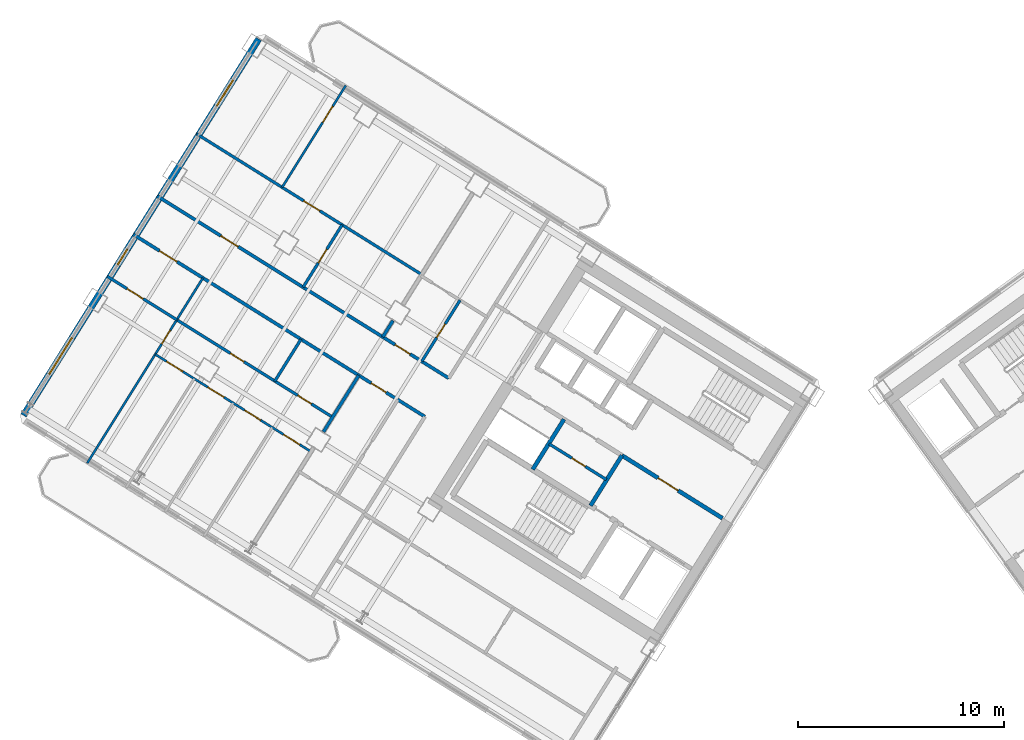
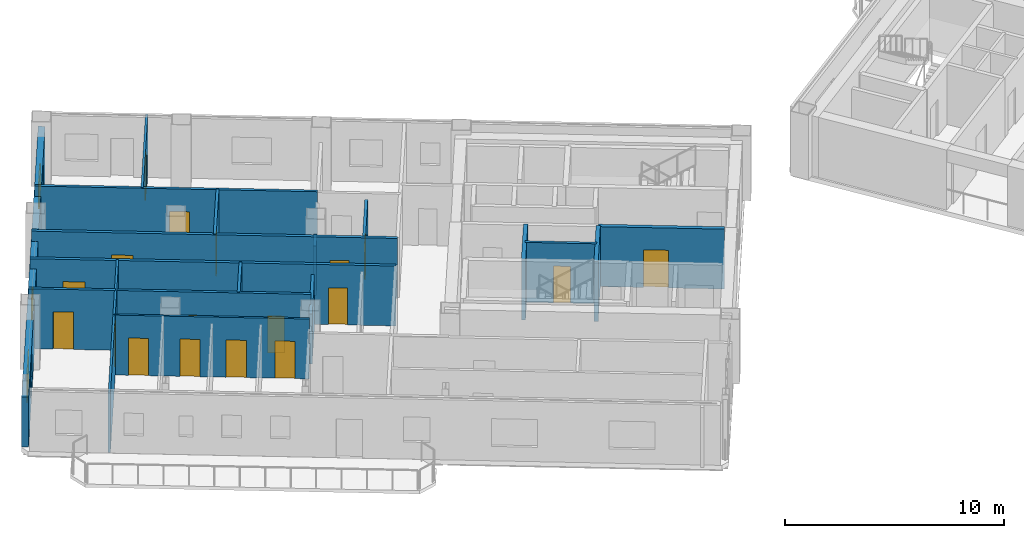
# One storey, part 11 of 19: 18 doors, 18 walls, 3 windows, 21 openings.
"""IFC4 building model written with IfcOpenShell, lengths in metres."""

from ifc_helpers import new_model, si_unit, direction, frame, frame_2d, origin, place, context, subcontext, project, spatial, rectangle, extrude, source, transform, mapped, material, layer, layer_set, type_object, element, fill, save


model = new_model("IFC4")

# Units and contexts
model_context = context("Model", 3, precision=1e-05, world=origin(), true_north=direction((0.0, 1.0)))
body_context = subcontext(model_context, "Body", "Model", "MODEL_VIEW")
ifc_project = project(units=[si_unit("LENGTHUNIT", "METRE"), si_unit("AREAUNIT", "SQUARE_METRE"), si_unit("VOLUMEUNIT", "CUBIC_METRE"), si_unit("PLANEANGLEUNIT", "RADIAN"), si_unit("MASSUNIT", "GRAM", prefix="KILO")], contexts=[model_context])

# Site, building, storey
site_placement = place(None, origin())
site = spatial("IfcSite", under=ifc_project, at=site_placement, CompositionType="ELEMENT")
building_placement = place(site_placement, origin())
building = spatial("IfcBuilding", under=site, at=building_placement, Name="Tlacorven Tower", CompositionType="ELEMENT")
storey_placement = place(building_placement, frame((0.0, 0.0, 144.300048828125)))
storey = spatial("IfcBuildingStorey", under=building, at=storey_placement, Name="L36", CompositionType="ELEMENT", Elevation=144.300048828125)

# Wall, openings, doors
ifc_material_1 = material(Name="Gypsum plasterboard acoustic partition", Category="gypsum")
ifc_layer_1 = layer(ifc_material_1, 0.159912109375)
ifc_layer_set_1 = layer_set([ifc_layer_1], Name="Gypsum plasterboard acoustic partition")
wall_type_1 = type_object("IfcWallType", Name="WL-DEM-160", PredefinedType="PARTITIONING", material=ifc_layer_set_1)
wall_1_placement = place(storey_placement, frame((23.104248046875, 25.25634765625, 0.0), z_axis=(0.0, 0.0, 1.0), x_axis=(-0.848041752158, 0.529929416617, 0.0)))
wall_1 = element("IfcWall", 1, at=wall_1_placement, inside=storey, type_object=wall_type_1, Name="L36 Wing W Corridor South Wall", PredefinedType="PARTITIONING", context=body_context, shape_type="SweptSolid", body=[
    extrude(rectangle(XDim=16.72998046875, YDim=0.159912109375, at=frame_2d((8.364990234375, 0.0))), origin(), (0.0, 0.0, 1.0), 3.33984375),
])
opening_1_placement = place(wall_1_placement, frame((2.219970703125, 0.0, 0.0)))
opening_1 = element("IfcOpeningElement", 2, at=opening_1_placement, cuts=wall_1, Name="Opening D19", PredefinedType="OPENING", context=body_context, shape_type="SweptSolid", body=[
    extrude(rectangle(XDim=0.860107421875, YDim=2.050048828125, at=frame_2d((0.43017578125, 1.02490234375))), frame((0.0, 0.08984375, 0.0), z_axis=(0.0, -1.0, 0.0), x_axis=(1.0, 0.0, 0.0)), (0.0, 0.0, 1.0), 0.179931640625),
])
opening_2_placement = place(wall_1_placement, frame((12.083984375, 0.0, 0.0)))
opening_2 = element("IfcOpeningElement", 3, at=opening_2_placement, cuts=wall_1, Name="Opening D11", PredefinedType="OPENING", context=body_context, shape_type="SweptSolid", body=[
    extrude(rectangle(XDim=1.0, YDim=2.10009765625, at=frame_2d((0.5, 1.050048828125))), frame((0.0, 0.08984375, 0.0), z_axis=(0.0, -1.0, 0.0), x_axis=(1.0, 0.0, 0.0)), (0.0, 0.0, 1.0), 0.179931640625),
])
ifc_material_2 = material(Name="Fire-rated steel door assembly", Category="steel")
door_type_1 = type_object("IfcDoorType", Name="DR-RSR-FD60-0860", OperationType="NOTDEFINED", PredefinedType="DOOR", material=ifc_material_2)
shared_shape_1 = source(origin(), body_context, "Body", "SweptSolid", [
    extrude(rectangle(XDim=0.860107421875, YDim=2.050048828125, at=frame_2d((0.43017578125, 1.02490234375))), frame((0.0, 0.02490234375, 0.0), z_axis=(0.0, -1.0, 0.0), x_axis=(1.0, 0.0, 0.0)), (0.0, 0.0, 1.0), 0.050048828125),
])
door_1_placement = place(opening_1_placement, origin())
door_1 = element("IfcDoor", 4, at=door_1_placement, inside=storey, type_object=door_type_1, Name="L36 door 038", OperationType="SINGLE_SWING_LEFT", OverallHeight=2.050048828125, OverallWidth=0.860107421875, PredefinedType="DOOR", context=body_context, shape_type="MappedRepresentation", body=[
    mapped(shared_shape_1, transform((0.0, 0.0, 0.0), scale=1.0)),
])
fill(opening_1, door_1)
door_type_2 = type_object("IfcDoorType", Name="DR-FLT-FD60-1000", OperationType="NOTDEFINED", PredefinedType="DOOR", material=ifc_material_2)
shared_shape_2 = source(origin(), body_context, "Body", "SweptSolid", [
    extrude(rectangle(XDim=1.0, YDim=2.10009765625, at=frame_2d((0.5, 1.050048828125))), frame((0.0, 0.02490234375, 0.0), z_axis=(0.0, -1.0, 0.0), x_axis=(1.0, 0.0, 0.0)), (0.0, 0.0, 1.0), 0.050048828125),
])
door_2_placement = place(opening_2_placement, origin())
door_2 = element("IfcDoor", 5, at=door_2_placement, inside=storey, type_object=door_type_2, Name="L36 door 042", OperationType="SINGLE_SWING_LEFT", OverallHeight=2.10009765625, OverallWidth=1.0, PredefinedType="DOOR", context=body_context, shape_type="MappedRepresentation", body=[
    mapped(shared_shape_2, transform((0.0, 0.0, 0.0), scale=1.0)),
])
fill(opening_2, door_2)

wall_2_placement = place(storey_placement, frame((21.9384765625, 23.390625, 0.0), z_axis=(0.0, 0.0, 1.0), x_axis=(-0.848045850158, 0.529922858565, 0.0)))
wall_2 = element("IfcWall", 6, at=wall_2_placement, inside=storey, type_object=wall_type_1, Name="L36 Wing W Corridor North Wall", PredefinedType="PARTITIONING", context=body_context, shape_type="SweptSolid", body=[
    extrude(rectangle(XDim=16.730224609375, YDim=0.159912109375, at=frame_2d((8.365234375, 0.0))), origin(), (0.0, 0.0, 1.0), 3.33984375),
])
opening_3_placement = place(wall_2_placement, frame((2.219970703125, 0.0, 0.0)))
opening_3 = element("IfcOpeningElement", 7, at=opening_3_placement, cuts=wall_2, Name="Opening D19", PredefinedType="OPENING", context=body_context, shape_type="SweptSolid", body=[
    extrude(rectangle(XDim=0.860107421875, YDim=2.050048828125, at=frame_2d((0.43017578125, 1.02490234375))), frame((0.0, 0.08984375, 0.0), z_axis=(0.0, -1.0, 0.0), x_axis=(1.0, 0.0, 0.0)), (0.0, 0.0, 1.0), 0.179931640625),
])
opening_4_placement = place(wall_2_placement, frame((14.219970703125, 0.0, 0.0)))
opening_4 = element("IfcOpeningElement", 8, at=opening_4_placement, cuts=wall_2, Name="Opening D11", PredefinedType="OPENING", context=body_context, shape_type="SweptSolid", body=[
    extrude(rectangle(XDim=1.0, YDim=2.10009765625, at=frame_2d((0.5, 1.050048828125))), frame((0.0, 0.08984375, 0.0), z_axis=(0.0, -1.0, 0.0), x_axis=(1.0, 0.0, 0.0)), (0.0, 0.0, 1.0), 0.179931640625),
])
door_3_placement = place(opening_3_placement, origin())
door_3 = element("IfcDoor", 9, at=door_3_placement, inside=storey, type_object=door_type_1, Name="L36 door 025", OperationType="SINGLE_SWING_RIGHT", OverallHeight=2.050048828125, OverallWidth=0.860107421875, PredefinedType="DOOR", context=body_context, shape_type="MappedRepresentation", body=[
    mapped(shared_shape_1, transform((0.0, 0.0, 0.0), scale=1.0)),
])
fill(opening_3, door_3)
door_4_placement = place(opening_4_placement, origin())
door_4 = element("IfcDoor", 10, at=door_4_placement, inside=storey, type_object=door_type_2, Name="L36 door 029", OperationType="SINGLE_SWING_RIGHT", OverallHeight=2.10009765625, OverallWidth=1.0, PredefinedType="DOOR", context=body_context, shape_type="MappedRepresentation", body=[
    mapped(shared_shape_2, transform((0.0, 0.0, 0.0), scale=1.0)),
])
fill(opening_4, door_4)

# Walls
wall_3_placement = place(storey_placement, frame((18.724365234375, 25.399169921875, 0.0), z_axis=(0.0, 0.0, 1.0), x_axis=(-0.529890499457, -0.848066069705, 0.0)))
element("IfcWall", 11, at=wall_3_placement, inside=storey, type_object=wall_type_1, Name="L36 WN Demising Wall 1", PredefinedType="PARTITIONING", context=body_context, shape_type="SweptSolid", body=[
    extrude(rectangle(XDim=3.238037109375, YDim=0.159912109375, at=frame_2d((1.619140625, 0.0))), origin(), (0.0, 0.0, 1.0), 2.77490234375),
])
wall_4_placement = place(storey_placement, frame((20.38720703125, 28.060302734375, 0.0), z_axis=(0.0, 0.0, 1.0), x_axis=(-0.529952145338, -0.848027548876, 0.0)))
element("IfcWall", 12, at=wall_4_placement, inside=storey, type_object=wall_type_1, Name="L36 WS Demising Wall 1", PredefinedType="PARTITIONING", context=body_context, shape_type="SweptSolid", body=[
    extrude(rectangle(XDim=0.93798828125, YDim=0.159912109375, at=frame_2d((0.468994140625, 0.0))), origin(), (0.0, 0.0, 1.0), 2.77490234375),
])

# Wall, openings, windows
ifc_material_3 = material(Name="Precast concrete C45/55", Category="concrete")
ifc_layer_2 = layer(ifc_material_3, 0.320068359375)
ifc_layer_set_2 = layer_set([ifc_layer_2], Name="Precast concrete C45/55")
wall_type_2 = type_object("IfcWallType", Name="WL-EXT-320", PredefinedType="STANDARD", material=ifc_layer_set_2)
wall_5_placement = place(storey_placement, frame((2.41455078125, 23.452392578125, 0.0), z_axis=(0.0, 0.0, 1.0), x_axis=(0.52991049553, 0.848053575387, 0.0)))
wall_5 = element("IfcWall", 13, at=wall_5_placement, inside=storey, type_object=wall_type_2, Name="L36 Masonry-Frame Recessed Facade Wall 2", PredefinedType="STANDARD", context=body_context, shape_type="SweptSolid", body=[
    extrude(rectangle(XDim=21.58740234375, YDim=0.320068359375, at=frame_2d((10.793701171875, 0.0))), origin(), (0.0, 0.0, 1.0), 2.77490234375),
])
opening_5_placement = place(wall_5_placement, frame((2.356201171875, 0.0, 0.800048828125)))
opening_5 = element("IfcOpeningElement", 14, at=opening_5_placement, cuts=wall_5, Name="Opening WN04", PredefinedType="OPENING", context=body_context, shape_type="SweptSolid", body=[
    extrude(rectangle(XDim=2.10009765625, YDim=1.550048828125, at=frame_2d((1.050048828125, 0.77490234375))), frame((0.0, 0.169921875, 0.0), z_axis=(0.0, -1.0, 0.0), x_axis=(1.0, 0.0, 0.0)), (0.0, 0.0, 1.0), 0.340087890625),
])
opening_6_placement = place(wall_5_placement, frame((8.638671875, 0.0, 1.0)))
opening_6 = element("IfcOpeningElement", 15, at=opening_6_placement, cuts=wall_5, Name="Opening WN05", PredefinedType="OPENING", context=body_context, shape_type="SweptSolid", body=[
    extrude(rectangle(XDim=0.89990234375, YDim=1.25, at=frame_2d((0.449951171875, 0.625))), frame((0.0, 0.169921875, 0.0), z_axis=(0.0, -1.0, 0.0), x_axis=(1.0, 0.0, 0.0)), (0.0, 0.0, 1.0), 0.340087890625),
])
opening_7_placement = place(wall_5_placement, frame((17.74365234375, 0.0, 0.85009765625)))
opening_7 = element("IfcOpeningElement", 16, at=opening_7_placement, cuts=wall_5, Name="Opening WN02", PredefinedType="OPENING", context=body_context, shape_type="SweptSolid", body=[
    extrude(rectangle(XDim=1.5, YDim=1.5, at=frame_2d((0.75, 0.75))), frame((0.0, 0.169921875, 0.0), z_axis=(0.0, -1.0, 0.0), x_axis=(1.0, 0.0, 0.0)), (0.0, 0.0, 1.0), 0.340087890625),
])
ifc_material_4 = material(Name="Dark solar low-E double glazing in anodised aluminium frame", Category="aluminium")
window_type_1 = type_object("IfcWindowType", Name="WN-APT-2100X1750", PartitioningType="SINGLE_PANEL", PredefinedType="WINDOW", material=ifc_material_4)
shared_shape_3 = source(origin(), body_context, "Body", "SweptSolid", [
    extrude(rectangle(XDim=2.10009765625, YDim=1.550048828125, at=frame_2d((1.050048828125, 0.77490234375))), frame((0.0, 0.030029296875, 0.0), z_axis=(0.0, -1.0, 0.0), x_axis=(1.0, 0.0, 0.0)), (0.0, 0.0, 1.0), 0.06005859375),
])
window_1_placement = place(opening_5_placement, origin())
window_1 = element("IfcWindow", 17, at=window_1_placement, inside=storey, type_object=window_type_1, Name="L36 Recessed Masonry-Frame Window L36-02.1", OverallHeight=1.550048828125, OverallWidth=2.10009765625, PartitioningType="SINGLE_PANEL", PredefinedType="WINDOW", context=body_context, shape_type="MappedRepresentation", body=[
    mapped(shared_shape_3, transform((0.0, 0.0, 0.0), scale=1.0)),
])
fill(opening_5, window_1)
window_type_2 = type_object("IfcWindowType", Name="WN-APT-1500X1650", PartitioningType="SINGLE_PANEL", PredefinedType="WINDOW", material=ifc_material_4)
shared_shape_4 = source(origin(), body_context, "Body", "SweptSolid", [
    extrude(rectangle(XDim=1.5, YDim=1.5, at=frame_2d((0.75, 0.75))), frame((0.0, 0.030029296875, 0.0), z_axis=(0.0, -1.0, 0.0), x_axis=(1.0, 0.0, 0.0)), (0.0, 0.0, 1.0), 0.06005859375),
])
window_2_placement = place(opening_7_placement, origin())
window_2 = element("IfcWindow", 18, at=window_2_placement, inside=storey, type_object=window_type_2, Name="L36 Recessed Masonry-Frame Window L36-02.3", OverallHeight=1.5, OverallWidth=1.5, PartitioningType="SINGLE_PANEL", PredefinedType="WINDOW", context=body_context, shape_type="MappedRepresentation", body=[
    mapped(shared_shape_4, transform((0.0, 0.0, 0.0), scale=1.0)),
])
fill(opening_7, window_2)
window_type_3 = type_object("IfcWindowType", Name="WN-APT-0900X1350", PartitioningType="SINGLE_PANEL", PredefinedType="WINDOW", material=ifc_material_4)
shared_shape_5 = source(origin(), body_context, "Body", "SweptSolid", [
    extrude(rectangle(XDim=0.89990234375, YDim=1.25, at=frame_2d((0.449951171875, 0.625))), frame((0.0, 0.030029296875, 0.0), z_axis=(0.0, -1.0, 0.0), x_axis=(1.0, 0.0, 0.0)), (0.0, 0.0, 1.0), 0.06005859375),
])
window_3_placement = place(opening_6_placement, origin())
window_3 = element("IfcWindow", 19, at=window_3_placement, inside=storey, type_object=window_type_3, Name="L36 Recessed Masonry-Frame Window L36-02.2", OverallHeight=1.25, OverallWidth=0.89990234375, PartitioningType="SINGLE_PANEL", PredefinedType="WINDOW", context=body_context, shape_type="MappedRepresentation", body=[
    mapped(shared_shape_5, transform((0.0, 0.0, 0.0), scale=1.0)),
])
fill(opening_6, window_3)

# Wall, opening, door
ifc_material_5 = material(Name="Gypsum plasterboard partition", Category="gypsum")
ifc_layer_3 = layer(ifc_material_5, 0.110107421875)
ifc_layer_set_3 = layer_set([ifc_layer_3], Name="Gypsum plasterboard partition")
wall_type_3 = type_object("IfcWallType", Name="WL-INT-110", PredefinedType="PARTITIONING", material=ifc_layer_set_3)
wall_6_placement = place(storey_placement, frame((11.142822265625, 30.136474609375, 0.0), z_axis=(0.0, 0.0, 1.0), x_axis=(-0.529922479612, -0.848046086956, 0.0)))
wall_6 = element("IfcWall", 20, at=wall_6_placement, inside=storey, type_object=wall_type_3, Name="L36 partition 56", PredefinedType="PARTITIONING", context=body_context, shape_type="SweptSolid", body=[
    extrude(rectangle(XDim=10.619873046875, YDim=0.110107421875, at=frame_2d((5.31005859375, 0.0))), origin(), (0.0, 0.0, 1.0), 3.33984375),
])
opening_8_placement = place(wall_6_placement, frame((3.0, 0.0, 0.0)))
opening_8 = element("IfcOpeningElement", 21, at=opening_8_placement, cuts=wall_6, Name="Opening D22", PredefinedType="OPENING", context=body_context, shape_type="SweptSolid", body=[
    extrude(rectangle(XDim=0.780029296875, YDim=2.050048828125, at=frame_2d((0.39013671875, 1.02490234375))), frame((0.0, 0.06494140625, 0.0), z_axis=(0.0, -1.0, 0.0), x_axis=(1.0, 0.0, 0.0)), (0.0, 0.0, 1.0), 0.130126953125),
])
ifc_material_6 = material(Name="Powder-coated aluminium and timber door", Category="wood")
door_type_3 = type_object("IfcDoorType", Name="DR-INT-WET-0780", OperationType="NOTDEFINED", PredefinedType="DOOR", material=ifc_material_6)
shared_shape_6 = source(origin(), body_context, "Body", "SweptSolid", [
    extrude(rectangle(XDim=0.780029296875, YDim=2.050048828125, at=frame_2d((0.39013671875, 1.02490234375))), frame((0.0, 0.02490234375, 0.0), z_axis=(0.0, -1.0, 0.0), x_axis=(1.0, 0.0, 0.0)), (0.0, 0.0, 1.0), 0.050048828125),
])
door_5_placement = place(opening_8_placement, origin())
door_5 = element("IfcDoor", 22, at=door_5_placement, inside=storey, type_object=door_type_3, Name="L36 door 031", OperationType="SINGLE_SWING_RIGHT", OverallHeight=2.050048828125, OverallWidth=0.780029296875, PredefinedType="DOOR", context=body_context, shape_type="MappedRepresentation", body=[
    mapped(shared_shape_6, transform((0.0, 0.0, 0.0), scale=1.0)),
])
fill(opening_8, door_5)

# Wall, openings, doors
wall_7_placement = place(storey_placement, frame((16.4033203125, 21.6845703125, 0.0), z_axis=(0.0, 0.0, 1.0), x_axis=(-0.848044326704, 0.52992529657, 0.0)))
wall_7 = element("IfcWall", 23, at=wall_7_placement, inside=storey, type_object=wall_type_3, Name="L36 partition 61", PredefinedType="PARTITIONING", context=body_context, shape_type="SweptSolid", body=[
    extrude(rectangle(XDim=8.93994140625, YDim=0.110107421875, at=frame_2d((4.469970703125, 0.0))), origin(), (0.0, 0.0, 1.0), 3.33984375),
])
opening_9_placement = place(wall_7_placement, frame((0.657470703125, 0.0, 0.0)))
opening_9 = element("IfcOpeningElement", 24, at=opening_9_placement, cuts=wall_7, Name="Opening D12", PredefinedType="OPENING", context=body_context, shape_type="SweptSolid", body=[
    extrude(rectangle(XDim=0.919921875, YDim=2.080078125, at=frame_2d((0.4599609375, 1.0400390625))), frame((0.0, 0.06494140625, 0.0), z_axis=(0.0, -1.0, 0.0), x_axis=(1.0, 0.0, 0.0)), (0.0, 0.0, 1.0), 0.130126953125),
])
opening_10_placement = place(wall_7_placement, frame((2.892578125, 0.0, 0.0)))
opening_10 = element("IfcOpeningElement", 25, at=opening_10_placement, cuts=wall_7, Name="Opening D12", PredefinedType="OPENING", context=body_context, shape_type="SweptSolid", body=[
    extrude(rectangle(XDim=0.919921875, YDim=2.080078125, at=frame_2d((0.4599609375, 1.0400390625))), frame((0.0, 0.06494140625, 0.0), z_axis=(0.0, -1.0, 0.0), x_axis=(1.0, 0.0, 0.0)), (0.0, 0.0, 1.0), 0.130126953125),
])
opening_11_placement = place(wall_7_placement, frame((5.007568359375, 0.0, 0.0)))
opening_11 = element("IfcOpeningElement", 26, at=opening_11_placement, cuts=wall_7, Name="Opening D12", PredefinedType="OPENING", context=body_context, shape_type="SweptSolid", body=[
    extrude(rectangle(XDim=0.919921875, YDim=2.080078125, at=frame_2d((0.4599609375, 1.0400390625))), frame((0.0, 0.06494140625, 0.0), z_axis=(0.0, -1.0, 0.0), x_axis=(1.0, 0.0, 0.0)), (0.0, 0.0, 1.0), 0.130126953125),
])
opening_12_placement = place(wall_7_placement, frame((7.362548828125, 0.0, 0.0)))
opening_12 = element("IfcOpeningElement", 27, at=opening_12_placement, cuts=wall_7, Name="Opening D12", PredefinedType="OPENING", context=body_context, shape_type="SweptSolid", body=[
    extrude(rectangle(XDim=0.919921875, YDim=2.080078125, at=frame_2d((0.4599609375, 1.0400390625))), frame((0.0, 0.06494140625, 0.0), z_axis=(0.0, -1.0, 0.0), x_axis=(1.0, 0.0, 0.0)), (0.0, 0.0, 1.0), 0.130126953125),
])
door_type_4 = type_object("IfcDoorType", Name="DR-INT-ROOM-0920", OperationType="NOTDEFINED", PredefinedType="DOOR", material=ifc_material_6)
shared_shape_7 = source(origin(), body_context, "Body", "SweptSolid", [
    extrude(rectangle(XDim=0.919921875, YDim=2.080078125, at=frame_2d((0.4599609375, 1.0400390625))), frame((0.0, 0.02490234375, 0.0), z_axis=(0.0, -1.0, 0.0), x_axis=(1.0, 0.0, 0.0)), (0.0, 0.0, 1.0), 0.050048828125),
])
door_6_placement = place(opening_9_placement, origin())
door_6 = element("IfcDoor", 28, at=door_6_placement, inside=storey, type_object=door_type_4, Name="L36 door 034", OperationType="SINGLE_SWING_LEFT", OverallHeight=2.080078125, OverallWidth=0.919921875, PredefinedType="DOOR", context=body_context, shape_type="MappedRepresentation", body=[
    mapped(shared_shape_7, transform((0.0, 0.0, 0.0), scale=1.0)),
])
fill(opening_9, door_6)
door_7_placement = place(opening_10_placement, origin())
door_7 = element("IfcDoor", 29, at=door_7_placement, inside=storey, type_object=door_type_4, Name="L36 door 035", OperationType="SINGLE_SWING_RIGHT", OverallHeight=2.080078125, OverallWidth=0.919921875, PredefinedType="DOOR", context=body_context, shape_type="MappedRepresentation", body=[
    mapped(shared_shape_7, transform((0.0, 0.0, 0.0), scale=1.0)),
])
fill(opening_10, door_7)
door_8_placement = place(opening_11_placement, origin())
door_8 = element("IfcDoor", 30, at=door_8_placement, inside=storey, type_object=door_type_4, Name="L36 door 036", OperationType="SINGLE_SWING_LEFT", OverallHeight=2.080078125, OverallWidth=0.919921875, PredefinedType="DOOR", context=body_context, shape_type="MappedRepresentation", body=[
    mapped(shared_shape_7, transform((0.0, 0.0, 0.0), scale=1.0)),
])
fill(opening_11, door_8)
door_9_placement = place(opening_12_placement, origin())
door_9 = element("IfcDoor", 31, at=door_9_placement, inside=storey, type_object=door_type_4, Name="L36 door 037", OperationType="SINGLE_SWING_RIGHT", OverallHeight=2.080078125, OverallWidth=0.919921875, PredefinedType="DOOR", context=body_context, shape_type="MappedRepresentation", body=[
    mapped(shared_shape_7, transform((0.0, 0.0, 0.0), scale=1.0)),
])
fill(opening_12, door_9)

# Wall, opening, door
wall_8_placement = place(storey_placement, frame((18.089111328125, 39.498046875, 0.0), z_axis=(0.0, 0.0, 1.0), x_axis=(-0.529916267533, -0.848049968695, 0.0)))
wall_8 = element("IfcWall", 32, at=wall_8_placement, inside=storey, type_object=wall_type_3, Name="L36 partition 70", PredefinedType="PARTITIONING", context=body_context, shape_type="SweptSolid", body=[
    extrude(rectangle(XDim=5.840087890625, YDim=0.110107421875, at=frame_2d((2.919921875, 0.0))), origin(), (0.0, 0.0, 1.0), 3.33984375),
])
opening_13_placement = place(wall_8_placement, frame((1.18994140625, 0.0, 0.0)))
opening_13 = element("IfcOpeningElement", 33, at=opening_13_placement, cuts=wall_8, Name="Opening D12", PredefinedType="OPENING", context=body_context, shape_type="SweptSolid", body=[
    extrude(rectangle(XDim=0.919921875, YDim=2.080078125, at=frame_2d((0.4599609375, 1.0400390625))), frame((0.0, 0.06494140625, 0.0), z_axis=(0.0, -1.0, 0.0), x_axis=(1.0, 0.0, 0.0)), (0.0, 0.0, 1.0), 0.130126953125),
])
door_10_placement = place(opening_13_placement, origin())
door_10 = element("IfcDoor", 34, at=door_10_placement, inside=storey, type_object=door_type_4, Name="L36 door 041", OperationType="SINGLE_SWING_RIGHT", OverallHeight=2.080078125, OverallWidth=0.919921875, PredefinedType="DOOR", context=body_context, shape_type="MappedRepresentation", body=[
    mapped(shared_shape_7, transform((0.0, 0.0, 0.0), scale=1.0)),
])
fill(opening_13, door_10)

ifc_material_7 = material(Name="Moisture-resistant gypsum plumbing wall", Category="gypsum")
ifc_layer_4 = layer(ifc_material_7, 0.139892578125)
ifc_layer_set_4 = layer_set([ifc_layer_4], Name="Moisture-resistant gypsum plumbing wall")
wall_type_4 = type_object("IfcWallType", Name="WL-PLM-140", PredefinedType="PLUMBINGWALL", material=ifc_layer_set_4)
wall_9_placement = place(storey_placement, frame((30.766357421875, 20.3271484375, 0.0), z_axis=(0.0, 0.0, 1.0), x_axis=(-0.848052663127, 0.529911955482, 0.0)))
wall_9 = element("IfcWall", 35, at=wall_9_placement, inside=storey, type_object=wall_type_4, Name="L36 partition 23", PredefinedType="PLUMBINGWALL", context=body_context, shape_type="SweptSolid", body=[
    extrude(rectangle(XDim=3.27978515625, YDim=0.139892578125, at=frame_2d((1.639892578125, 0.0))), origin(), (0.0, 0.0, 1.0), 3.33984375),
])
opening_14_placement = place(wall_9_placement, frame((1.199951171875, 0.0, 0.0)))
opening_14 = element("IfcOpeningElement", 36, at=opening_14_placement, cuts=wall_9, Name="Opening D22", PredefinedType="OPENING", context=body_context, shape_type="SweptSolid", body=[
    extrude(rectangle(XDim=0.780029296875, YDim=2.050048828125, at=frame_2d((0.39013671875, 1.02490234375))), frame((0.0, 0.080078125, 0.0), z_axis=(0.0, -1.0, 0.0), x_axis=(1.0, 0.0, 0.0)), (0.0, 0.0, 1.0), 0.159912109375),
])
door_11_placement = place(opening_14_placement, origin())
door_11 = element("IfcDoor", 37, at=door_11_placement, inside=storey, type_object=door_type_3, Name="L36 door 011", OperationType="SINGLE_SWING_LEFT", OverallHeight=2.050048828125, OverallWidth=0.780029296875, PredefinedType="DOOR", context=body_context, shape_type="MappedRepresentation", body=[
    mapped(shared_shape_6, transform((0.0, 0.0, 0.0), scale=1.0)),
])
fill(opening_14, door_11)

wall_10_placement = place(storey_placement, frame((9.870849609375, 28.101318359375, 0.0), z_axis=(0.0, 0.0, 1.0), x_axis=(-0.848025873403, 0.529954826413, 0.0)))
wall_10 = element("IfcWall", 38, at=wall_10_placement, inside=storey, type_object=wall_type_4, Name="L36 partition 58", PredefinedType="PLUMBINGWALL", context=body_context, shape_type="SweptSolid", body=[
    extrude(rectangle(XDim=3.979736328125, YDim=0.139892578125, at=frame_2d((1.98974609375, 0.0))), origin(), (0.0, 0.0, 1.0), 3.33984375),
])
opening_15_placement = place(wall_10_placement, frame((1.929931640625, 0.0, 0.0)))
opening_15 = element("IfcOpeningElement", 39, at=opening_15_placement, cuts=wall_10, Name="Opening D12", PredefinedType="OPENING", context=body_context, shape_type="SweptSolid", body=[
    extrude(rectangle(XDim=0.919921875, YDim=2.080078125, at=frame_2d((0.4599609375, 1.0400390625))), frame((0.0, 0.080078125, 0.0), z_axis=(0.0, -1.0, 0.0), x_axis=(1.0, 0.0, 0.0)), (0.0, 0.0, 1.0), 0.159912109375),
])
door_12_placement = place(opening_15_placement, origin())
door_12 = element("IfcDoor", 40, at=door_12_placement, inside=storey, type_object=door_type_4, Name="L36 door 030", OperationType="SINGLE_SWING_LEFT", OverallHeight=2.080078125, OverallWidth=0.919921875, PredefinedType="DOOR", context=body_context, shape_type="MappedRepresentation", body=[
    mapped(shared_shape_7, transform((0.0, 0.0, 0.0), scale=1.0)),
])
fill(opening_15, door_12)

# Wall, openings, doors
wall_11_placement = place(storey_placement, frame((17.452392578125, 23.36376953125, 0.0), z_axis=(0.0, 0.0, 1.0), x_axis=(-0.848044326704, 0.52992529657, 0.0)))
wall_11 = element("IfcWall", 41, at=wall_11_placement, inside=storey, type_object=wall_type_4, Name="L36 partition 59", PredefinedType="PLUMBINGWALL", context=body_context, shape_type="SweptSolid", body=[
    extrude(rectangle(XDim=8.93994140625, YDim=0.139892578125, at=frame_2d((4.469970703125, 0.0))), origin(), (0.0, 0.0, 1.0), 3.33984375),
])
opening_16_placement = place(wall_11_placement, frame((5.08740234375, 0.0, 0.0)))
opening_16 = element("IfcOpeningElement", 42, at=opening_16_placement, cuts=wall_11, Name="Opening D22", PredefinedType="OPENING", context=body_context, shape_type="SweptSolid", body=[
    extrude(rectangle(XDim=0.780029296875, YDim=2.050048828125, at=frame_2d((0.39013671875, 1.02490234375))), frame((0.0, 0.080078125, 0.0), z_axis=(0.0, -1.0, 0.0), x_axis=(1.0, 0.0, 0.0)), (0.0, 0.0, 1.0), 0.159912109375),
])
opening_17_placement = place(wall_11_placement, frame((1.217529296875, 0.0, 0.0)))
opening_17 = element("IfcOpeningElement", 43, at=opening_17_placement, cuts=wall_11, Name="Opening D22", PredefinedType="OPENING", context=body_context, shape_type="SweptSolid", body=[
    extrude(rectangle(XDim=0.780029296875, YDim=2.050048828125, at=frame_2d((0.39013671875, 1.02490234375))), frame((0.0, 0.080078125, 0.0), z_axis=(0.0, -1.0, 0.0), x_axis=(1.0, 0.0, 0.0)), (0.0, 0.0, 1.0), 0.159912109375),
])
door_13_placement = place(opening_16_placement, origin())
door_13 = element("IfcDoor", 44, at=door_13_placement, inside=storey, type_object=door_type_3, Name="L36 door 032", OperationType="SINGLE_SWING_LEFT", OverallHeight=2.050048828125, OverallWidth=0.780029296875, PredefinedType="DOOR", context=body_context, shape_type="MappedRepresentation", body=[
    mapped(shared_shape_6, transform((0.0, 0.0, 0.0), scale=1.0)),
])
fill(opening_16, door_13)
door_14_placement = place(opening_17_placement, origin())
door_14 = element("IfcDoor", 45, at=door_14_placement, inside=storey, type_object=door_type_3, Name="L36 door 033", OperationType="SINGLE_SWING_RIGHT", OverallHeight=2.050048828125, OverallWidth=0.780029296875, PredefinedType="DOOR", context=body_context, shape_type="MappedRepresentation", body=[
    mapped(shared_shape_6, transform((0.0, 0.0, 0.0), scale=1.0)),
])
fill(opening_17, door_14)

# Wall
wall_12_placement = place(storey_placement, frame((15.9130859375, 27.15576171875, 0.0), z_axis=(0.0, 0.0, 1.0), x_axis=(-0.529935194983, -0.848038141311, 0.0)))
element("IfcWall", 46, at=wall_12_placement, inside=storey, type_object=wall_type_4, Name="L36 partition 60", PredefinedType="PLUMBINGWALL", context=body_context, shape_type="SweptSolid", body=[
    extrude(rectangle(XDim=2.409912109375, YDim=0.139892578125, at=frame_2d((1.205078125, 0.0))), origin(), (0.0, 0.0, 1.0), 3.33984375),
])

# Wall, opening, door
wall_13_placement = place(storey_placement, frame((23.649658203125, 29.054443359375, 0.0), z_axis=(0.0, 0.0, 1.0), x_axis=(-0.529898896701, -0.848060822863, 0.0)))
wall_13 = element("IfcWall", 47, at=wall_13_placement, inside=storey, type_object=wall_type_4, Name="L36 partition 67", PredefinedType="PLUMBINGWALL", context=body_context, shape_type="SweptSolid", body=[
    extrude(rectangle(XDim=3.509765625, YDim=0.139892578125, at=frame_2d((1.7548828125, 0.0))), origin(), (0.0, 0.0, 1.0), 2.994873046875),
])
opening_18_placement = place(wall_13_placement, frame((1.364990234375, 0.0, 0.0)))
opening_18 = element("IfcOpeningElement", 48, at=opening_18_placement, cuts=wall_13, Name="Opening D22", PredefinedType="OPENING", context=body_context, shape_type="SweptSolid", body=[
    extrude(rectangle(XDim=0.780029296875, YDim=2.050048828125, at=frame_2d((0.39013671875, 1.02490234375))), frame((0.0, 0.080078125, 0.0), z_axis=(0.0, -1.0, 0.0), x_axis=(1.0, 0.0, 0.0)), (0.0, 0.0, 1.0), 0.159912109375),
])
door_15_placement = place(opening_18_placement, origin())
door_15 = element("IfcDoor", 49, at=door_15_placement, inside=storey, type_object=door_type_3, Name="L36 door 040", OperationType="SINGLE_SWING_LEFT", OverallHeight=2.050048828125, OverallWidth=0.780029296875, PredefinedType="DOOR", context=body_context, shape_type="MappedRepresentation", body=[
    mapped(shared_shape_6, transform((0.0, 0.0, 0.0), scale=1.0)),
])
fill(opening_18, door_15)

wall_14_placement = place(storey_placement, frame((21.787353515625, 30.30078125, 0.0), z_axis=(0.0, 0.0, 1.0), x_axis=(-0.848043949058, 0.52992590092, 0.0)))
wall_14 = element("IfcWall", 50, at=wall_14_placement, inside=storey, type_object=wall_type_4, Name="L36 partition 68", PredefinedType="PLUMBINGWALL", context=body_context, shape_type="SweptSolid", body=[
    extrude(rectangle(XDim=12.920166015625, YDim=0.139892578125, at=frame_2d((6.4599609375, 0.0))), origin(), (0.0, 0.0, 1.0), 3.33984375),
])
opening_19_placement = place(wall_14_placement, frame((5.84912109375, 0.0, 0.0)))
opening_19 = element("IfcOpeningElement", 51, at=opening_19_placement, cuts=wall_14, Name="Opening D12", PredefinedType="OPENING", context=body_context, shape_type="SweptSolid", body=[
    extrude(rectangle(XDim=0.919921875, YDim=2.080078125, at=frame_2d((0.4599609375, 1.0400390625))), frame((0.0, 0.080078125, 0.0), z_axis=(0.0, -1.0, 0.0), x_axis=(1.0, 0.0, 0.0)), (0.0, 0.0, 1.0), 0.159912109375),
])
door_16_placement = place(opening_19_placement, origin())
door_16 = element("IfcDoor", 52, at=door_16_placement, inside=storey, type_object=door_type_4, Name="L36 door 043", OperationType="SINGLE_SWING_RIGHT", OverallHeight=2.080078125, OverallWidth=0.919921875, PredefinedType="DOOR", context=body_context, shape_type="MappedRepresentation", body=[
    mapped(shared_shape_7, transform((0.0, 0.0, 0.0), scale=1.0)),
])
fill(opening_19, door_16)

wall_15_placement = place(storey_placement, frame((17.913330078125, 32.721435546875, 0.0), z_axis=(0.0, 0.0, 1.0), x_axis=(-0.529906983049, -0.848055770169, 0.0)))
wall_15 = element("IfcWall", 53, at=wall_15_placement, inside=storey, type_object=wall_type_4, Name="L36 partition 69", PredefinedType="PLUMBINGWALL", context=body_context, shape_type="SweptSolid", body=[
    extrude(rectangle(XDim=3.579833984375, YDim=0.139892578125, at=frame_2d((1.7900390625, 0.0))), origin(), (0.0, 0.0, 1.0), 3.33984375),
])
opening_20_placement = place(wall_15_placement, frame((1.39990234375, 0.0, 0.0)))
opening_20 = element("IfcOpeningElement", 54, at=opening_20_placement, cuts=wall_15, Name="Opening D22", PredefinedType="OPENING", context=body_context, shape_type="SweptSolid", body=[
    extrude(rectangle(XDim=0.780029296875, YDim=2.050048828125, at=frame_2d((0.39013671875, 1.02490234375))), frame((0.0, 0.080078125, 0.0), z_axis=(0.0, -1.0, 0.0), x_axis=(1.0, 0.0, 0.0)), (0.0, 0.0, 1.0), 0.159912109375),
])
door_17_placement = place(opening_20_placement, origin())
door_17 = element("IfcDoor", 55, at=door_17_placement, inside=storey, type_object=door_type_3, Name="L36 door 044", OperationType="SINGLE_SWING_LEFT", OverallHeight=2.050048828125, OverallWidth=0.780029296875, PredefinedType="DOOR", context=body_context, shape_type="MappedRepresentation", body=[
    mapped(shared_shape_6, transform((0.0, 0.0, 0.0), scale=1.0)),
])
fill(opening_20, door_17)

ifc_material_8 = material(Name="Concrete C40/50", Category="concrete")
ifc_layer_5 = layer(ifc_material_8, 0.199951171875)
ifc_layer_set_5 = layer_set([ifc_layer_5], Name="Concrete C40/50")
wall_type_5 = type_object("IfcWallType", Name="WL-SHF-200", PredefinedType="STANDARD", material=ifc_layer_set_5)
wall_16_placement = place(storey_placement, frame((36.416748046875, 18.447265625, 0.0), z_axis=(0.0, 0.0, 1.0), x_axis=(-0.848064879198, 0.529892404805, 0.0)))
wall_16 = element("IfcWall", 56, at=wall_16_placement, inside=storey, type_object=wall_type_5, Name="L36 Core W Smoke Lobby Wall", PredefinedType="STANDARD", context=body_context, shape_type="SweptSolid", body=[
    extrude(rectangle(XDim=5.76806640625, YDim=0.199951171875, at=frame_2d((2.884033203125, 0.0))), origin(), (0.0, 0.0, 1.0), 3.33984375),
])
opening_21_placement = place(wall_16_placement, frame((2.548095703125, 0.0, 0.0)))
opening_21 = element("IfcOpeningElement", 57, at=opening_21_placement, cuts=wall_16, Name="Opening D09", PredefinedType="OPENING", context=body_context, shape_type="SweptSolid", body=[
    extrude(rectangle(XDim=1.14990234375, YDim=2.10009765625, at=frame_2d((0.574951171875, 1.050048828125))), frame((0.0, 0.10986328125, 0.0), z_axis=(0.0, -1.0, 0.0), x_axis=(1.0, 0.0, 0.0)), (0.0, 0.0, 1.0), 0.219970703125),
])
door_type_5 = type_object("IfcDoorType", Name="DR-FFL-FD60-1150", OperationType="NOTDEFINED", PredefinedType="DOOR", material=ifc_material_2)
shared_shape_8 = source(origin(), body_context, "Body", "SweptSolid", [
    extrude(rectangle(XDim=1.14990234375, YDim=2.10009765625, at=frame_2d((0.574951171875, 1.050048828125))), frame((0.0, 0.02490234375, 0.0), z_axis=(0.0, -1.0, 0.0), x_axis=(1.0, 0.0, 0.0)), (0.0, 0.0, 1.0), 0.050048828125),
])
door_18_placement = place(opening_21_placement, origin())
door_18 = element("IfcDoor", 58, at=door_18_placement, inside=storey, type_object=door_type_5, Name="L36 Firefighting Lobby W Fire Door", OperationType="SINGLE_SWING_RIGHT", OverallHeight=2.10009765625, OverallWidth=1.14990234375, PredefinedType="DOOR", context=body_context, shape_type="MappedRepresentation", body=[
    mapped(shared_shape_8, transform((0.0, 0.0, 0.0), scale=1.0)),
])
fill(opening_21, door_18)

# Walls
for number, where, z_axis, x_axis, name in (
    (59, (31.525146484375, 21.503662109375, 0.0), (0.0, 0.0, 1.0), (-0.529907497854, -0.848055448493, 0.0), "L36 partition 20"),
    (60, (28.709716796875, 23.26318359375, 0.0), (0.0, 0.0, 1.0), (-0.529907497854, -0.848055448493, 0.0), "L36 partition 21"),
):
    element("IfcWall", number, at=place(storey_placement, frame(where, z_axis=z_axis, x_axis=x_axis)), inside=storey, type_object=wall_type_5, Name=name, PredefinedType="STANDARD", context=body_context, shape_type="SweptSolid", body=[
        extrude(rectangle(XDim=2.8798828125, YDim=0.199951171875, at=frame_2d((1.43994140625, 0.0))), origin(), (0.0, 0.0, 1.0), 3.33984375),
    ])

save(model, "model.ifc")
